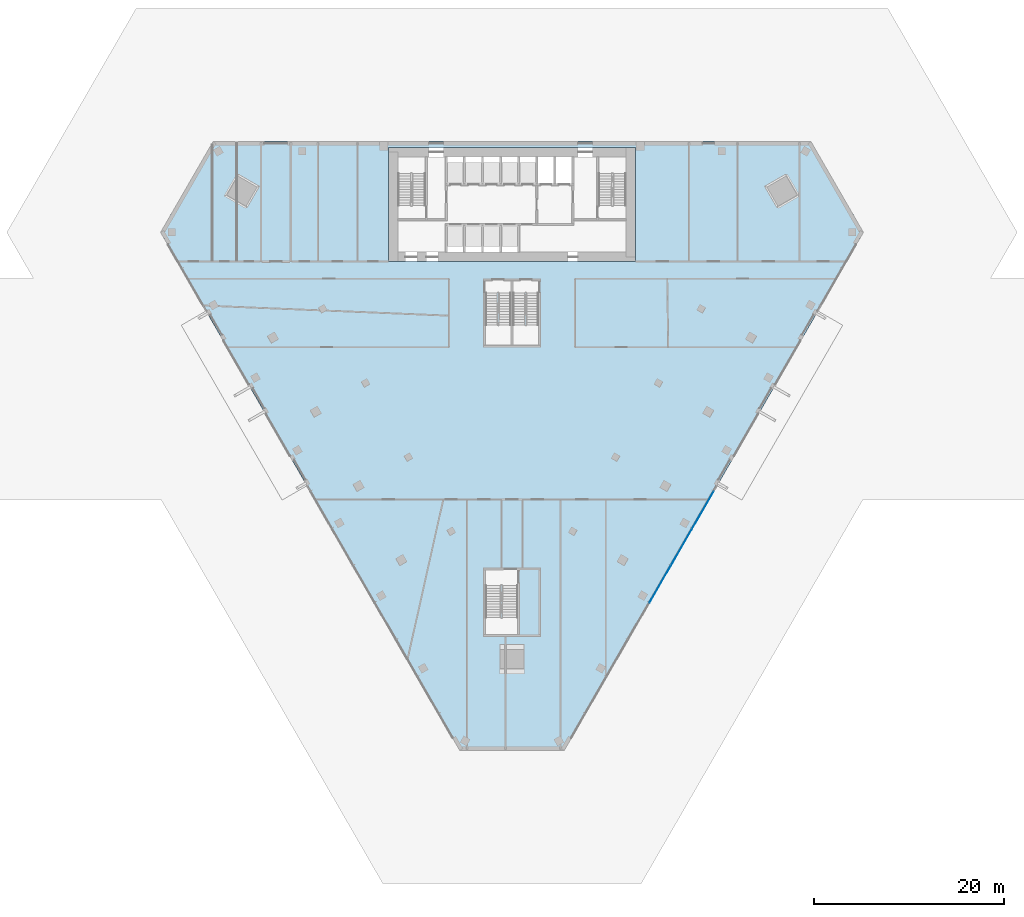
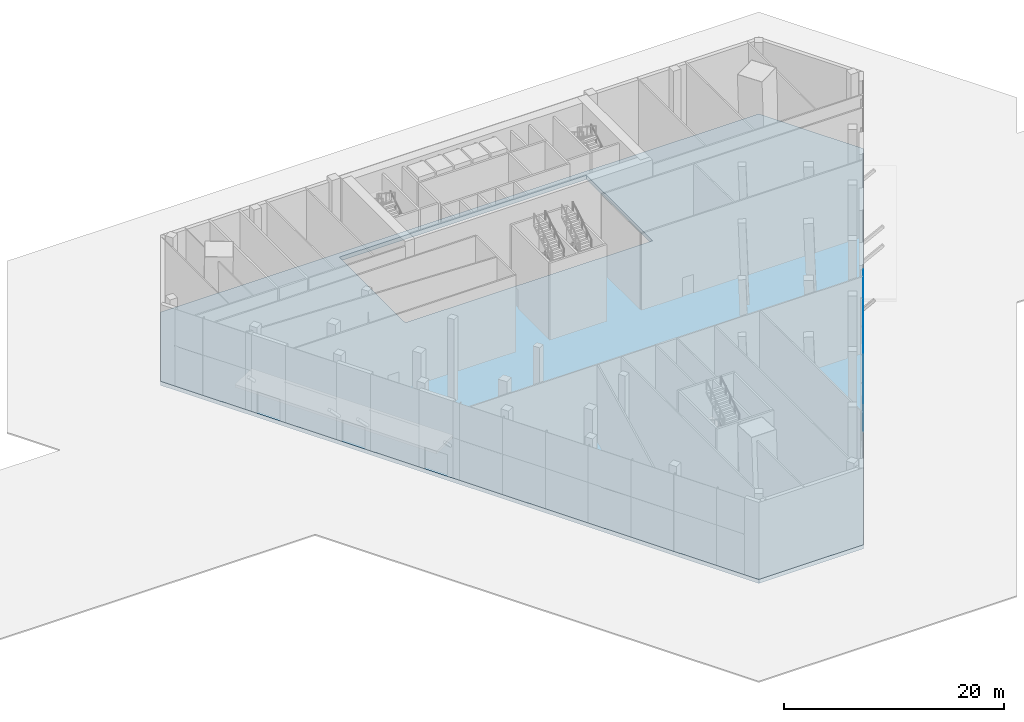
# One storey, part 7 of 21: 6 plates, 1 slab, 1 element without a shape of its own.
"""IFC4 building model written with IfcOpenShell, lengths in metres."""

from ifc_helpers import new_model, si_unit, direction, frame, origin, origin_2d, place, context, subcontext, project, spatial, polyline, rectangle, outline, extrude, material, layer, layer_set, type_object, element, aggregate, save


model = new_model("IFC4")

# Units and contexts
model_context = context("Model", 3, precision=1e-05, world=origin(), true_north=direction((0.0, 1.0)))
body_context = subcontext(model_context, "Body", "Model", "MODEL_VIEW")
ifc_project = project(units=[si_unit("LENGTHUNIT", "METRE"), si_unit("AREAUNIT", "SQUARE_METRE"), si_unit("VOLUMEUNIT", "CUBIC_METRE"), si_unit("PLANEANGLEUNIT", "RADIAN"), si_unit("MASSUNIT", "GRAM", prefix="KILO")], contexts=[model_context])

# Site, building, storey
site_placement = place(None, origin())
site = spatial("IfcSite", under=ifc_project, at=site_placement, CompositionType="ELEMENT")
building_placement = place(site_placement, origin())
building = spatial("IfcBuilding", under=site, at=building_placement, Name="Altiplano Prism Tower", CompositionType="ELEMENT")
storey_placement = place(building_placement, origin())
storey = spatial("IfcBuildingStorey", under=building, at=storey_placement, Name="L00", CompositionType="ELEMENT", Elevation=0.0)

# Curtain wall, plates
ifc_material_1 = material(Name="Aluminium and glass", Category="aluminium")
ifc_layer_1 = layer(ifc_material_1, 0.261962890625)
ifc_layer_set_1 = layer_set([ifc_layer_1], Name="Aluminium and glass")
curtain_wall_type = type_object("IfcCurtainWallType", Name="CW4 concourse and street shopfront", PredefinedType="NOTDEFINED", material=ifc_layer_set_1)
curtain_wall_placement = place(storey_placement, origin())
curtain_wall = element("IfcCurtainWall", 1, at=curtain_wall_placement, inside=storey, type_object=curtain_wall_type, Name="CW4 shopfront south-east face L00", PredefinedType="NOTDEFINED")
ifc_material_2 = material(Name="Clear glass", Category="glass")
ifc_layer_2 = layer(ifc_material_2, 0.031982421875)
ifc_layer_set_2 = layer_set([ifc_layer_2], Name="Clear glass")
plate_type = type_object("IfcPlateType", Name="CW4 laminated glass panel 32", PredefinedType="CURTAIN_PANEL", material=ifc_layer_set_2)
plate_1_placement = place(storey_placement, frame((100.578857421875, 58.51513671875, 0.0), z_axis=(0.0, 0.0, 1.0), x_axis=(0.499999996478, 0.866025405818, 0.0)))
plate_1 = element("IfcPlate", 2, at=plate_1_placement, type_object=plate_type, Name="CW4 panel", PredefinedType="CURTAIN_PANEL", context=body_context, shape_type="SweptSolid", body=[
    extrude(rectangle(XDim=4.489990234375, YDim=0.031982421875, at=origin_2d()), origin(), (0.0, 0.0, 1.0), 4.5),
])
plate_2_placement = place(storey_placement, frame((100.578857421875, 58.51513671875, 4.5), z_axis=(0.0, 0.0, 1.0), x_axis=(0.499999996478, 0.866025405818, 0.0)))
plate_2 = element("IfcPlate", 3, at=plate_2_placement, type_object=plate_type, Name="CW4 panel", PredefinedType="CURTAIN_PANEL", context=body_context, shape_type="SweptSolid", body=[
    extrude(rectangle(XDim=4.489990234375, YDim=0.031982421875, at=origin_2d()), origin(), (0.0, 0.0, 1.0), 4.050048828125),
])
plate_3_placement = place(storey_placement, frame((102.828857421875, 62.412353515625, 0.0), z_axis=(0.0, 0.0, 1.0), x_axis=(0.499999996478, 0.866025405818, 0.0)))
plate_3 = element("IfcPlate", 4, at=plate_3_placement, type_object=plate_type, Name="CW4 panel", PredefinedType="CURTAIN_PANEL", context=body_context, shape_type="SweptSolid", body=[
    extrude(rectangle(XDim=4.489990234375, YDim=0.031982421875, at=origin_2d()), origin(), (0.0, 0.0, 1.0), 4.5),
])
plate_4_placement = place(storey_placement, frame((102.828857421875, 62.412353515625, 4.5), z_axis=(0.0, 0.0, 1.0), x_axis=(0.499999996478, 0.866025405818, 0.0)))
plate_4 = element("IfcPlate", 5, at=plate_4_placement, type_object=plate_type, Name="CW4 panel", PredefinedType="CURTAIN_PANEL", context=body_context, shape_type="SweptSolid", body=[
    extrude(rectangle(XDim=4.489990234375, YDim=0.031982421875, at=origin_2d()), origin(), (0.0, 0.0, 1.0), 4.050048828125),
])
plate_5_placement = place(storey_placement, frame((105.078857421875, 66.309326171875, 0.0), z_axis=(0.0, 0.0, 1.0), x_axis=(0.499999996478, 0.866025405818, 0.0)))
plate_5 = element("IfcPlate", 6, at=plate_5_placement, type_object=plate_type, Name="CW4 panel", PredefinedType="CURTAIN_PANEL", context=body_context, shape_type="SweptSolid", body=[
    extrude(rectangle(XDim=4.489990234375, YDim=0.031982421875, at=origin_2d()), origin(), (0.0, 0.0, 1.0), 4.5),
])
plate_6_placement = place(storey_placement, frame((105.078857421875, 66.309326171875, 4.5), z_axis=(0.0, 0.0, 1.0), x_axis=(0.499999996478, 0.866025405818, 0.0)))
plate_6 = element("IfcPlate", 7, at=plate_6_placement, type_object=plate_type, Name="CW4 panel", PredefinedType="CURTAIN_PANEL", context=body_context, shape_type="SweptSolid", body=[
    extrude(rectangle(XDim=4.489990234375, YDim=0.031982421875, at=origin_2d()), origin(), (0.0, 0.0, 1.0), 4.050048828125),
])
aggregate(curtain_wall, [plate_1, plate_2, plate_3, plate_4, plate_5, plate_6])

# Slab
ifc_material_3 = material(Name="Concrete C40/50", Category="concrete")
ifc_layer_3 = layer(ifc_material_3, 0.449951171875)
ifc_layer_set_3 = layer_set([ifc_layer_3], Name="Concrete C40/50")
slab_type = type_object("IfcSlabType", Name="Post-tensioned flat slab 450", PredefinedType="FLOOR", material=ifc_layer_set_3)
slab_placement = place(storey_placement, frame((0.0, 0.0, -0.449951171875)))
element("IfcSlab", 8, at=slab_placement, inside=storey, type_object=slab_type, Name="Floor slab L00", PredefinedType="FLOOR", context=body_context, shape_type="SweptSolid", body=[
    extrude(outline(polyline([(121.935302734375, 95.4736328125), (90.5, 41.0263671875), (79.5, 41.0263671875), (48.064697265625, 95.4736328125), (53.564697265625, 105.0), (116.435302734375, 105.0), (121.935302734375, 95.4736328125)]), holes=[polyline([(98.0, 92.39990234375), (98.0, 104.39990234375), (72.0, 104.39990234375), (72.0, 92.39990234375), (98.0, 92.39990234375)])]), origin(), (0.0, 0.0, 1.0), 0.449951171875),
])

save(model, "model.ifc")
